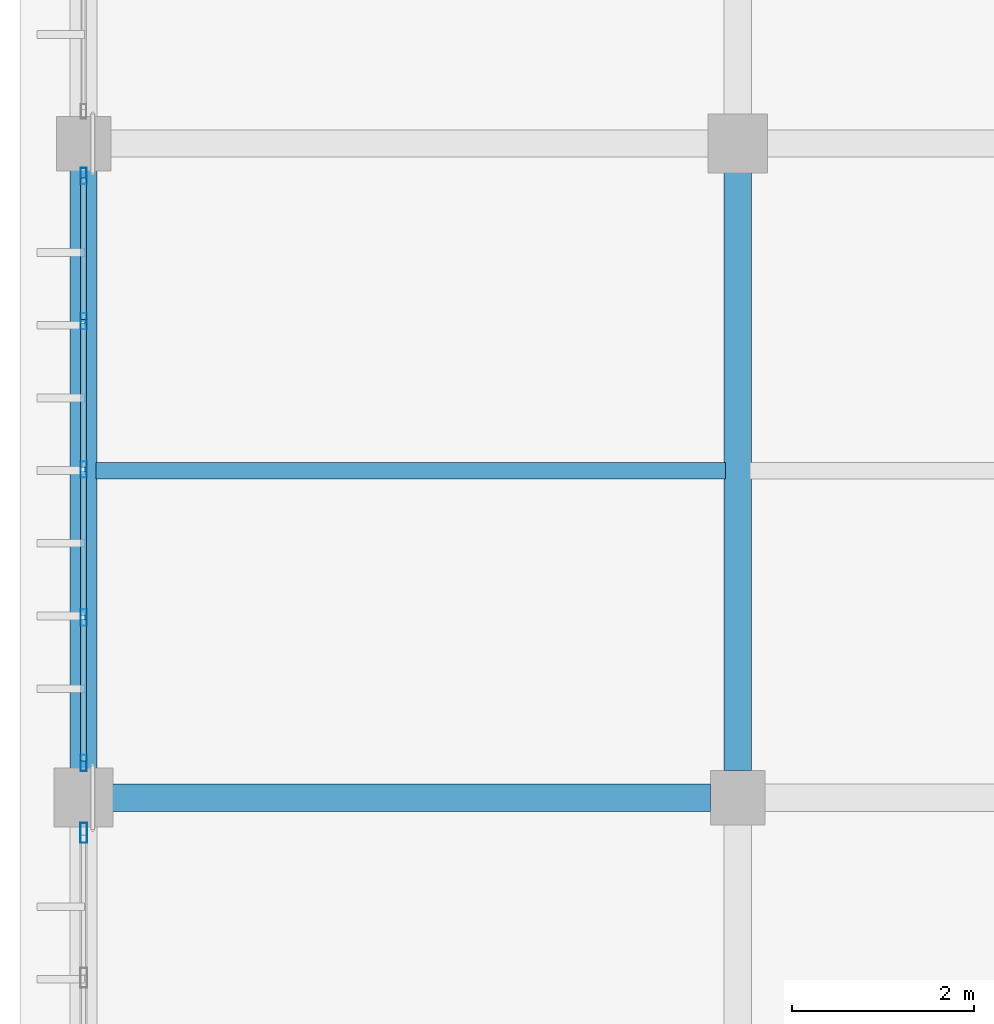
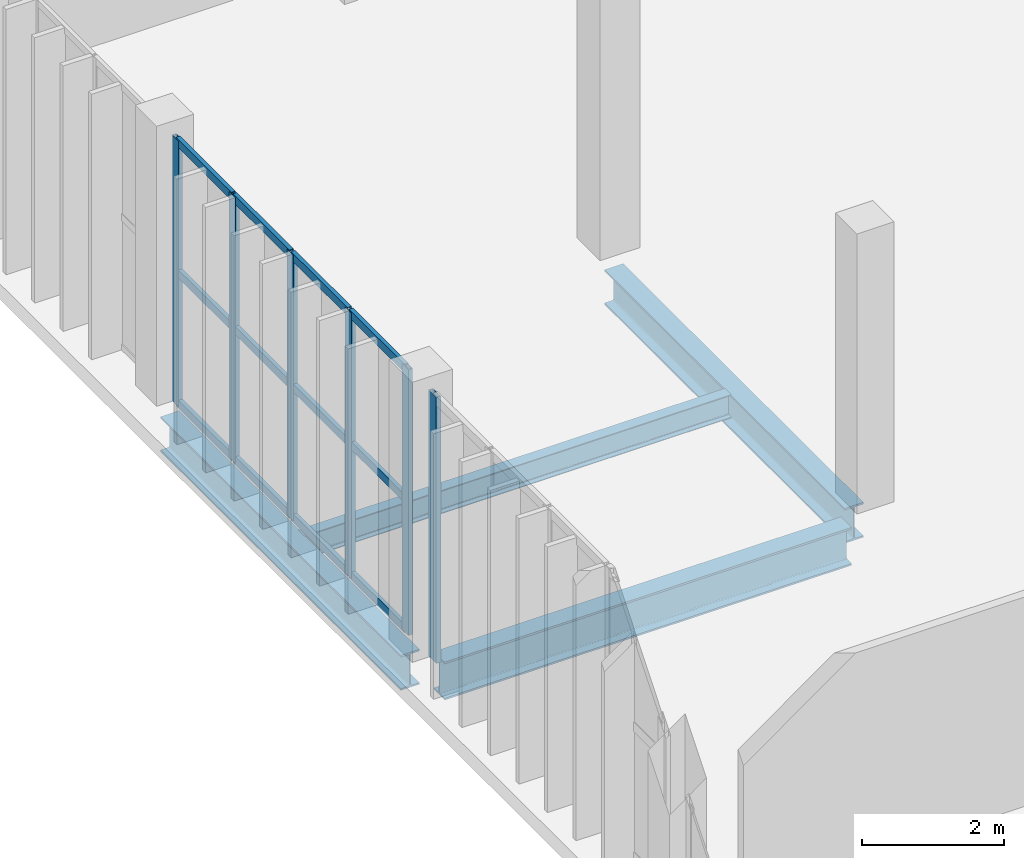
# One storey, part 35 of 105: 18 members, 4 beams, 2 elements without a shape of their own.
"""IFC4 building model written with IfcOpenShell, lengths in metres."""

import ifcopenshell
import ifcopenshell.guid

model = None  # the IFC model being written
_history = None  # IfcOwnerHistory: only IFC2X3 demands one
_inside = {}  # id of a spatial element -> (the spatial element, [elements in it])
_under = {}  # id of a project, library or spatial element -> (it, [spatial elements below it])
_declared = {}  # id of a project -> (the project, [libraries it declares])
_typed = {}  # id of a type object -> (the type object, [elements of that type])
_made_of = {}  # id of a material, layer set ... -> (it, [elements and type objects made of it])


def new_model(schema):
    """Start an empty IFC model of exactly this schema.

    Asked for "IFC4X3", IfcOpenShell would pick the latest addendum, in which some entities
    have other attributes; the version numbers below select the first issue.
    IFC2X3 requires an IfcOwnerHistory on every rooted entity: one is made here for all.
    """
    global model, _history
    if schema == "IFC4X3":
        model = ifcopenshell.file(schema_version=(4, 3, 0, 0))
    else:
        model = ifcopenshell.file(schema=schema)
    _inside.clear()
    _under.clear()
    _declared.clear()
    _typed.clear()
    _made_of.clear()
    _history = None
    if model.schema == "IFC2X3":
        org = make("IfcOrganization", Name="unknown")
        user = make(
            "IfcPersonAndOrganization",
            ThePerson=make("IfcPerson", FamilyName="unknown"),
            TheOrganization=org,
        )
        app = make(
            "IfcApplication",
            ApplicationDeveloper=org,
            Version="unknown",
            ApplicationFullName="unknown",
            ApplicationIdentifier="unknown",
        )
        _history = make(
            "IfcOwnerHistory",
            OwningUser=user,
            OwningApplication=app,
            ChangeAction="ADDED",
            CreationDate=0,
        )
    return model


def make(cls, **values):
    """One entity of the class cls with the attributes given. An attribute that is None is left unset."""
    return model.create_entity(
        cls, **{name: value for name, value in values.items() if value is not None}
    )


def rooted(cls, **values):
    """An entity with a GlobalId (a new one), such as an element, a storey or a relation."""
    return make(cls, GlobalId=ifcopenshell.guid.new(), OwnerHistory=_history, **values)


def si_unit(unit_type, name, prefix=None):
    """IfcSIUnit, for example si_unit("LENGTHUNIT", "METRE", prefix="MILLI")."""
    return make("IfcSIUnit", UnitType=unit_type, Prefix=prefix, Name=name)


def assignment(units):
    """IfcUnitAssignment: the units of a project."""
    return None if units is None else make("IfcUnitAssignment", Units=units)


def point(xyz):
    """IfcCartesianPoint."""
    return None if xyz is None else make("IfcCartesianPoint", Coordinates=xyz)


def direction(xyz):
    """IfcDirection."""
    return None if xyz is None else make("IfcDirection", DirectionRatios=xyz)


def frame(location, z_axis=None, x_axis=None):
    """IfcAxis2Placement3D, a coordinate frame: its origin and axes. An axis left out is left unset."""
    return make(
        "IfcAxis2Placement3D",
        Location=point(location),
        Axis=direction(z_axis),
        RefDirection=direction(x_axis),
    )


def frame_2d(location, x_axis=None):
    """IfcAxis2Placement2D, a coordinate frame in the plane: its origin and x axis."""
    return make(
        "IfcAxis2Placement2D", Location=point(location), RefDirection=direction(x_axis)
    )


def origin():
    """The frame at (0, 0, 0) with its axes left unset."""
    return frame((0.0, 0.0, 0.0))


def origin_2d():
    """The frame at (0, 0) in the plane with its x axis left unset."""
    return frame_2d((0.0, 0.0))


def place(relative_to, where):
    """IfcLocalPlacement: puts the frame where relative to a parent placement (None: the world)."""
    return make(
        "IfcLocalPlacement", PlacementRelTo=relative_to, RelativePlacement=where
    )


def context(
    kind, dimensions, precision=None, world=None, true_north=None, identifier=None
):
    """IfcGeometricRepresentationContext, for example the 3D "Model" context."""
    return make(
        "IfcGeometricRepresentationContext",
        ContextIdentifier=identifier,
        ContextType=kind,
        CoordinateSpaceDimension=dimensions,
        Precision=precision,
        WorldCoordinateSystem=world,
        TrueNorth=true_north,
    )


def subcontext(parent, identifier, kind, view, scale=None):
    """IfcGeometricRepresentationSubContext, for example "Body" below "Model"."""
    return make(
        "IfcGeometricRepresentationSubContext",
        ContextIdentifier=identifier,
        ContextType=kind,
        ParentContext=parent,
        TargetScale=scale,
        TargetView=view,
    )


def project(units=None, contexts=None):
    """IfcProject with its units and contexts."""
    return rooted(
        "IfcProject",
        Name="project",
        RepresentationContexts=contexts,
        UnitsInContext=assignment(units),
    )


def spatial(cls, under=None, at=None, **own):
    """A site, building, storey or space (cls), placed at a placement, below another one or the project."""
    s = rooted(cls, ObjectPlacement=at, **own)
    if under is not None:
        _under.setdefault(under.id(), (under, []))[1].append(s)
    return s


def profile(cls, at=None, kind="AREA", **sizes):
    """A parametric profile (cls). Its sizes go by their IFC names, for example OverallWidth=200.0."""
    return make(cls, ProfileType=kind, Position=at, **sizes)


def hollow_rectangle(**sizes):
    """IfcRectangleHollowProfileDef."""
    return profile("IfcRectangleHollowProfileDef", **sizes)


def i_section(**sizes):
    """IfcIShapeProfileDef."""
    return profile("IfcIShapeProfileDef", **sizes)


def extrude(swept, where, along, depth):
    """IfcExtrudedAreaSolid: the profile swept, set in the frame where, extruded along a direction by depth."""
    return make(
        "IfcExtrudedAreaSolid",
        SweptArea=swept,
        Position=where,
        ExtrudedDirection=direction(along),
        Depth=depth,
    )


def shape(context_of_items, identifier, shape_type, items):
    """IfcShapeRepresentation: the items that make up one representation, for example the "Body"."""
    return make(
        "IfcShapeRepresentation",
        ContextOfItems=context_of_items,
        RepresentationIdentifier=identifier,
        RepresentationType=shape_type,
        Items=items,
    )


def material(Name=None, Category=None):
    """IfcMaterial."""
    return make("IfcMaterial", Name=Name, Category=Category)


def material_profile(
    of_material, cross_section, Name=None, Category=None, Priority=None
):
    """IfcMaterialProfile: a cross section and its material."""
    return make(
        "IfcMaterialProfile",
        Name=Name,
        Material=of_material,
        Profile=cross_section,
        Priority=Priority,
        Category=Category,
    )


def profile_set(profiles, Name=None, composite=None):
    """IfcMaterialProfileSet."""
    return make(
        "IfcMaterialProfileSet",
        Name=Name,
        MaterialProfiles=profiles,
        CompositeProfile=composite,
    )


def made_of(thing, what):
    """Note that an element or type object is made of a material, layer set ...; save() writes the relation."""
    if what is not None:
        _made_of.setdefault(what.id(), (what, []))[1].append(thing)
    return thing


def type_object(cls, material=None, **own):
    """A type object (cls), such as IfcWallType, which elements share."""
    return made_of(rooted(cls, **own), material)


def element(
    cls,
    number,
    at=None,
    inside=None,
    cuts=None,
    type_object=None,
    material=None,
    context=None,
    identifier="Body",
    shape_type=None,
    held_by="IfcProductDefinitionShape",
    body=None,
    shapes=None,
    **own,
):
    """One element of the class cls, such as IfcWall. Its Tag is "e" and its number.

    at: its placement. inside: the storey or other place that contains it. cuts: it is an
    opening in that element (IfcRelVoidsElement). A single representation is given by context,
    identifier, shape_type and body (its items); several are given by shapes. held_by: the class
    of the entity that holds the representations. save() writes the other relations.
    """
    e = rooted(cls, Tag="e%d" % number, ObjectPlacement=at, **own)
    if body is not None:
        shapes = [shape(context, identifier, shape_type, body)]
    if shapes is not None:
        e.Representation = make(held_by, Representations=shapes)
    if inside is not None:
        _inside.setdefault(inside.id(), (inside, []))[1].append(e)
    if cuts is not None:
        rooted(
            "IfcRelVoidsElement", RelatingBuildingElement=cuts, RelatedOpeningElement=e
        )
    if type_object is not None:
        _typed.setdefault(type_object.id(), (type_object, []))[1].append(e)
    return made_of(e, material)


def aggregate(whole, parts):
    """IfcRelAggregates: a whole, such as a stair, and the parts it consists of."""
    return rooted("IfcRelAggregates", RelatingObject=whole, RelatedObjects=parts)


def save(model, path):
    """Write the relations noted so far, then the file.

    IfcRelAggregates (storeys below a building ...), IfcRelContainedInSpatialStructure (elements
    in a storey), IfcRelDefinesByType, IfcRelAssociatesMaterial and IfcRelDeclares: one each for
    every whole, place, type object, material and project.
    """
    for whole, parts in _under.values():
        aggregate(whole, parts)
    for where, things in _inside.values():
        rooted(
            "IfcRelContainedInSpatialStructure",
            RelatedElements=things,
            RelatingStructure=where,
        )
    for kind, things in _typed.values():
        rooted("IfcRelDefinesByType", RelatedObjects=things, RelatingType=kind)
    for what, things in _made_of.values():
        rooted("IfcRelAssociatesMaterial", RelatedObjects=things, RelatingMaterial=what)
    for by, libraries in _declared.values():
        rooted("IfcRelDeclares", RelatingContext=by, RelatedDefinitions=libraries)
    model.write(path)


model = new_model("IFC4")

# Units and contexts
model_context = context("Model", 3, precision=1e-05, world=origin(), true_north=direction((0.0, 1.0)))
body_context = subcontext(model_context, "Body", "Model", "MODEL_VIEW")
ifc_project = project(units=[si_unit("LENGTHUNIT", "METRE"), si_unit("AREAUNIT", "SQUARE_METRE"), si_unit("VOLUMEUNIT", "CUBIC_METRE"), si_unit("PLANEANGLEUNIT", "RADIAN"), si_unit("MASSUNIT", "GRAM", prefix="KILO")], contexts=[model_context])

# Site, building, storey
site_placement = place(None, origin())
site = spatial("IfcSite", under=ifc_project, at=site_placement, CompositionType="ELEMENT")
building_placement = place(site_placement, origin())
building = spatial("IfcBuilding", under=site, at=building_placement, Name="Qandorah Velis Arena", CompositionType="ELEMENT")
storey_placement = place(building_placement, frame((0.0, 0.0, 13.800048828125)))
storey = spatial("IfcBuildingStorey", under=building, at=storey_placement, Name="L03", CompositionType="ELEMENT", Elevation=13.800048828125)

# Curtain wall, members
ifc_material_1 = material(Name="Solar-control low-E double glazing", Category="glass")
curtain_wall_type_1 = type_object("IfcCurtainWallType", Name="ARC-CW-SYS02", PredefinedType="USERDEFINED", material=ifc_material_1)
curtain_wall_1_placement = place(storey_placement, origin())
curtain_wall_1 = element("IfcCurtainWall", 1, at=curtain_wall_1_placement, inside=storey, type_object=curtain_wall_type_1, Name="Unitised curtain wall L03-026", ObjectType="UNITISED CURTAIN WALL", PredefinedType="USERDEFINED")
ifc_material_2 = material(Name="Champagne-bronze anodized aluminium 6063-T6", Category="aluminium")
ifc_material_profile_1 = material_profile(ifc_material_2, hollow_rectangle(XDim=0.06494140625, YDim=0.179931640625, WallThickness=0.00341796875, at=origin_2d()), Name="ALU MULLION 65x180")
ifc_profile_set_1 = profile_set([ifc_material_profile_1], Name="Champagne-bronze anodized aluminium 6063-T6")
member_type_1 = type_object("IfcMemberType", Name="ARC-CWM-180", PredefinedType="MULLION", material=ifc_profile_set_1)
member_1_placement = place(storey_placement, frame((0.0, 65.1826171875, -0.01513671875), z_axis=(0.0, 0.0, 1.0), x_axis=(-1.0, 0.0, 0.0)))
member_1 = element("IfcMember", 2, at=member_1_placement, type_object=member_type_1, Name="CW02 mullion 1", PredefinedType="MULLION", context=body_context, shape_type="SweptSolid", body=[
    extrude(hollow_rectangle(XDim=0.06494140625, YDim=0.179931640625, WallThickness=0.00341796875, at=origin_2d()), origin(), (0.0, 0.0, 1.0), 4.56005859375),
])
member_2_placement = place(storey_placement, frame((0.0, 66.78125, -0.01513671875), z_axis=(0.0, 0.0, 1.0), x_axis=(-1.0, 0.0, 0.0)))
member_2 = element("IfcMember", 3, at=member_2_placement, type_object=member_type_1, Name="CW02 mullion 2", PredefinedType="MULLION", context=body_context, shape_type="SweptSolid", body=[
    extrude(hollow_rectangle(XDim=0.06494140625, YDim=0.179931640625, WallThickness=0.00341796875, at=origin_2d()), origin(), (0.0, 0.0, 1.0), 4.56005859375),
])
member_3_placement = place(storey_placement, frame((0.0, 68.41259765625, -0.01513671875), z_axis=(0.0, 0.0, 1.0), x_axis=(-1.0, 0.0, 0.0)))
member_3 = element("IfcMember", 4, at=member_3_placement, type_object=member_type_1, Name="CW02 mullion 3", PredefinedType="MULLION", context=body_context, shape_type="SweptSolid", body=[
    extrude(hollow_rectangle(XDim=0.06494140625, YDim=0.179931640625, WallThickness=0.00341796875, at=origin_2d()), origin(), (0.0, 0.0, 1.0), 4.56005859375),
])
member_4_placement = place(storey_placement, frame((0.0, 70.043701171875, -0.01513671875), z_axis=(0.0, 0.0, 1.0), x_axis=(-1.0, 0.0, 0.0)))
member_4 = element("IfcMember", 5, at=member_4_placement, type_object=member_type_1, Name="CW02 mullion 4", PredefinedType="MULLION", context=body_context, shape_type="SweptSolid", body=[
    extrude(hollow_rectangle(XDim=0.06494140625, YDim=0.179931640625, WallThickness=0.00341796875, at=origin_2d()), origin(), (0.0, 0.0, 1.0), 4.56005859375),
])
member_5_placement = place(storey_placement, frame((0.0, 71.642578125, -0.01513671875), z_axis=(0.0, 0.0, 1.0), x_axis=(-1.0, 0.0, 0.0)))
member_5 = element("IfcMember", 6, at=member_5_placement, type_object=member_type_1, Name="CW02 mullion 5", PredefinedType="MULLION", context=body_context, shape_type="SweptSolid", body=[
    extrude(hollow_rectangle(XDim=0.06494140625, YDim=0.179931640625, WallThickness=0.00341796875, at=origin_2d()), origin(), (0.0, 0.0, 1.0), 4.56005859375),
])

# Curtain wall, member
curtain_wall_type_2 = type_object("IfcCurtainWallType", Name="ARC-CW-SYS01", PredefinedType="USERDEFINED", material=ifc_material_1)
curtain_wall_2_placement = place(storey_placement, origin())
curtain_wall_2 = element("IfcCurtainWall", 7, at=curtain_wall_2_placement, inside=storey, type_object=curtain_wall_type_2, Name="Unitised curtain wall L03-025", ObjectType="UNITISED CURTAIN WALL", PredefinedType="USERDEFINED")
ifc_material_profile_2 = material_profile(ifc_material_2, hollow_rectangle(XDim=0.074951171875, YDim=0.219970703125, WallThickness=0.00390625, at=origin_2d()), Name="ALU MULLION 75x220")
ifc_profile_set_2 = profile_set([ifc_material_profile_2], Name="Champagne-bronze anodized aluminium 6063-T6")
member_type_2 = type_object("IfcMemberType", Name="ARC-CWM-220", PredefinedType="MULLION", material=ifc_profile_set_2)
member_6_placement = place(storey_placement, frame((0.0, 64.41259765625, -0.01513671875), z_axis=(0.0, 0.0, 1.0), x_axis=(-1.0, 0.0, 0.0)))
member_6 = element("IfcMember", 8, at=member_6_placement, type_object=member_type_2, Name="CW01 mullion 5", PredefinedType="MULLION", context=body_context, shape_type="SweptSolid", body=[
    extrude(hollow_rectangle(XDim=0.074951171875, YDim=0.219970703125, WallThickness=0.00390625, at=origin_2d()), origin(), (0.0, 0.0, 1.0), 4.56005859375),
])
aggregate(curtain_wall_2, [member_6])

# Member
ifc_material_profile_3 = material_profile(ifc_material_2, hollow_rectangle(XDim=0.06494140625, YDim=0.139892578125, WallThickness=0.0029296875, at=origin_2d()), Name="ALU TRANSOM 65x140")
ifc_profile_set_3 = profile_set([ifc_material_profile_3], Name="Champagne-bronze anodized aluminium 6063-T6")
member_type_3 = type_object("IfcMemberType", Name="ARC-CWT-140", PredefinedType="USERDEFINED", material=ifc_profile_set_3)
member_7_placement = place(storey_placement, frame((0.0, 65.202880859375, 0.032470703125), z_axis=(0.0, 1.0, 0.0), x_axis=(-1.0, 0.0, 0.0)))
member_7 = element("IfcMember", 9, at=member_7_placement, type_object=member_type_3, Name="CW02 transom 1.1", ObjectType="TRANSOM", PredefinedType="USERDEFINED", context=body_context, shape_type="SweptSolid", body=[
    extrude(hollow_rectangle(XDim=0.06494140625, YDim=0.139892578125, WallThickness=0.0029296875, at=origin_2d()), origin(), (0.0, 0.0, 1.0), 1.557861328125),
])

member_8_placement = place(storey_placement, frame((0.0, 65.202880859375, 2.264892578125), z_axis=(0.0, 1.0, 0.0), x_axis=(-1.0, 0.0, 0.0)))
member_8 = element("IfcMember", 10, at=member_8_placement, type_object=member_type_3, Name="CW02 transom 1.2", ObjectType="TRANSOM", PredefinedType="USERDEFINED", context=body_context, shape_type="SweptSolid", body=[
    extrude(hollow_rectangle(XDim=0.06494140625, YDim=0.139892578125, WallThickness=0.0029296875, at=origin_2d()), origin(), (0.0, 0.0, 1.0), 1.557861328125),
])

member_9_placement = place(storey_placement, frame((0.0, 65.202880859375, 4.49755859375), z_axis=(0.0, 1.0, 0.0), x_axis=(-1.0, 0.0, 0.0)))
member_9 = element("IfcMember", 11, at=member_9_placement, type_object=member_type_3, Name="CW02 transom 1.3", ObjectType="TRANSOM", PredefinedType="USERDEFINED", context=body_context, shape_type="SweptSolid", body=[
    extrude(hollow_rectangle(XDim=0.06494140625, YDim=0.139892578125, WallThickness=0.0029296875, at=origin_2d()), origin(), (0.0, 0.0, 1.0), 1.557861328125),
])

member_10_placement = place(storey_placement, frame((0.0, 66.8017578125, 0.032470703125), z_axis=(0.0, 1.0, 0.0), x_axis=(-1.0, 0.0, 0.0)))
member_10 = element("IfcMember", 12, at=member_10_placement, type_object=member_type_3, Name="CW02 transom 2.1", ObjectType="TRANSOM", PredefinedType="USERDEFINED", context=body_context, shape_type="SweptSolid", body=[
    extrude(hollow_rectangle(XDim=0.06494140625, YDim=0.139892578125, WallThickness=0.0029296875, at=origin_2d()), origin(), (0.0, 0.0, 1.0), 1.59033203125),
])

member_11_placement = place(storey_placement, frame((0.0, 66.8017578125, 2.264892578125), z_axis=(0.0, 1.0, 0.0), x_axis=(-1.0, 0.0, 0.0)))
member_11 = element("IfcMember", 13, at=member_11_placement, type_object=member_type_3, Name="CW02 transom 2.2", ObjectType="TRANSOM", PredefinedType="USERDEFINED", context=body_context, shape_type="SweptSolid", body=[
    extrude(hollow_rectangle(XDim=0.06494140625, YDim=0.139892578125, WallThickness=0.0029296875, at=origin_2d()), origin(), (0.0, 0.0, 1.0), 1.59033203125),
])

member_12_placement = place(storey_placement, frame((0.0, 66.8017578125, 4.49755859375), z_axis=(0.0, 1.0, 0.0), x_axis=(-1.0, 0.0, 0.0)))
member_12 = element("IfcMember", 14, at=member_12_placement, type_object=member_type_3, Name="CW02 transom 2.3", ObjectType="TRANSOM", PredefinedType="USERDEFINED", context=body_context, shape_type="SweptSolid", body=[
    extrude(hollow_rectangle(XDim=0.06494140625, YDim=0.139892578125, WallThickness=0.0029296875, at=origin_2d()), origin(), (0.0, 0.0, 1.0), 1.59033203125),
])

member_13_placement = place(storey_placement, frame((0.0, 68.43310546875, 0.032470703125), z_axis=(0.0, 1.0, 0.0), x_axis=(-1.0, 0.0, 0.0)))
member_13 = element("IfcMember", 15, at=member_13_placement, type_object=member_type_3, Name="CW02 transom 3.1", ObjectType="TRANSOM", PredefinedType="USERDEFINED", context=body_context, shape_type="SweptSolid", body=[
    extrude(hollow_rectangle(XDim=0.06494140625, YDim=0.139892578125, WallThickness=0.0029296875, at=origin_2d()), origin(), (0.0, 0.0, 1.0), 1.590087890625),
])

member_14_placement = place(storey_placement, frame((0.0, 68.43310546875, 2.264892578125), z_axis=(0.0, 1.0, 0.0), x_axis=(-1.0, 0.0, 0.0)))
member_14 = element("IfcMember", 16, at=member_14_placement, type_object=member_type_3, Name="CW02 transom 3.2", ObjectType="TRANSOM", PredefinedType="USERDEFINED", context=body_context, shape_type="SweptSolid", body=[
    extrude(hollow_rectangle(XDim=0.06494140625, YDim=0.139892578125, WallThickness=0.0029296875, at=origin_2d()), origin(), (0.0, 0.0, 1.0), 1.590087890625),
])

member_15_placement = place(storey_placement, frame((0.0, 68.43310546875, 4.49755859375), z_axis=(0.0, 1.0, 0.0), x_axis=(-1.0, 0.0, 0.0)))
member_15 = element("IfcMember", 17, at=member_15_placement, type_object=member_type_3, Name="CW02 transom 3.3", ObjectType="TRANSOM", PredefinedType="USERDEFINED", context=body_context, shape_type="SweptSolid", body=[
    extrude(hollow_rectangle(XDim=0.06494140625, YDim=0.139892578125, WallThickness=0.0029296875, at=origin_2d()), origin(), (0.0, 0.0, 1.0), 1.590087890625),
])

member_16_placement = place(storey_placement, frame((0.0, 70.064208984375, 0.032470703125), z_axis=(0.0, 1.0, 0.0), x_axis=(-1.0, 0.0, 0.0)))
member_16 = element("IfcMember", 18, at=member_16_placement, type_object=member_type_3, Name="CW02 transom 4.1", ObjectType="TRANSOM", PredefinedType="USERDEFINED", context=body_context, shape_type="SweptSolid", body=[
    extrude(hollow_rectangle(XDim=0.06494140625, YDim=0.139892578125, WallThickness=0.0029296875, at=origin_2d()), origin(), (0.0, 0.0, 1.0), 1.557861328125),
])

member_17_placement = place(storey_placement, frame((0.0, 70.064208984375, 2.264892578125), z_axis=(0.0, 1.0, 0.0), x_axis=(-1.0, 0.0, 0.0)))
member_17 = element("IfcMember", 19, at=member_17_placement, type_object=member_type_3, Name="CW02 transom 4.2", ObjectType="TRANSOM", PredefinedType="USERDEFINED", context=body_context, shape_type="SweptSolid", body=[
    extrude(hollow_rectangle(XDim=0.06494140625, YDim=0.139892578125, WallThickness=0.0029296875, at=origin_2d()), origin(), (0.0, 0.0, 1.0), 1.557861328125),
])

member_18_placement = place(storey_placement, frame((0.0, 70.064208984375, 4.49755859375), z_axis=(0.0, 1.0, 0.0), x_axis=(-1.0, 0.0, 0.0)))
member_18 = element("IfcMember", 20, at=member_18_placement, type_object=member_type_3, Name="CW02 transom 4.3", ObjectType="TRANSOM", PredefinedType="USERDEFINED", context=body_context, shape_type="SweptSolid", body=[
    extrude(hollow_rectangle(XDim=0.06494140625, YDim=0.139892578125, WallThickness=0.0029296875, at=origin_2d()), origin(), (0.0, 0.0, 1.0), 1.557861328125),
])

aggregate(curtain_wall_1, [member_1, member_2, member_3, member_4, member_5, member_7, member_8, member_9, member_10, member_11, member_12, member_13, member_14, member_15, member_16, member_17, member_18])

# Beams
ifc_material_3 = material(Name="Steel S355", Category="steel")
ifc_material_profile_4 = material_profile(ifc_material_3, i_section(OverallWidth=0.300048828125, OverallDepth=0.60009765625, WebThickness=0.015380859375, FlangeThickness=0.030029296875, FilletRadius=0.027099609375, at=origin_2d()), Name="HEB 600")
ifc_profile_set_4 = profile_set([ifc_material_profile_4], Name="Steel S355")
beam_type_1 = type_object("IfcBeamType", Name="STR-BM-HEB600", PredefinedType="BEAM", material=ifc_profile_set_4)
for number, where, z_axis, x_axis, name in (
    (21, (0.0, 65.10009765625, -0.6201171875), (0.0, 1.0, 0.0), (-1.0, 0.0, 0.0), "Primary floor girder L03 Y-185"),
    (22, (7.199951171875, 65.10009765625, -0.6201171875), (0.0, 1.0, 0.0), (-1.0, 0.0, 0.0), "Primary floor girder L03 Y-199"),
):
    element("IfcBeam", number, at=place(storey_placement, frame(where, z_axis=z_axis, x_axis=x_axis)), inside=storey, type_object=beam_type_1, Name=name, PredefinedType="BEAM", context=body_context, shape_type="SweptSolid", body=[
        extrude(i_section(OverallWidth=0.300048828125, OverallDepth=0.60009765625, WebThickness=0.015380859375, FlangeThickness=0.030029296875, FilletRadius=0.027099609375, at=origin_2d()), origin(), (0.0, 0.0, 1.0), 6.75),
    ])
ifc_material_profile_5 = material_profile(ifc_material_3, i_section(OverallWidth=0.300048828125, OverallDepth=0.64990234375, WebThickness=0.01611328125, FlangeThickness=0.031005859375, FilletRadius=0.027099609375, at=origin_2d()), Name="HEB 650")
ifc_profile_set_5 = profile_set([ifc_material_profile_5], Name="Steel S355")
beam_type_2 = type_object("IfcBeamType", Name="STR-BM-HEB650", PredefinedType="BEAM", material=ifc_profile_set_5)
beam_1_placement = place(storey_placement, frame((0.300048828125, 64.800048828125, -0.64501953125), z_axis=(1.0, 0.0, 0.0), x_axis=(0.0, 1.0, 0.0)))
element("IfcBeam", 23, at=beam_1_placement, inside=storey, type_object=beam_type_2, Name="Primary floor girder L03 X-089", PredefinedType="BEAM", context=body_context, shape_type="SweptSolid", body=[
    extrude(i_section(OverallWidth=0.300048828125, OverallDepth=0.64990234375, WebThickness=0.01611328125, FlangeThickness=0.031005859375, FilletRadius=0.027099609375, at=origin_2d()), origin(), (0.0, 0.0, 1.0), 6.599853515625),
])
ifc_material_profile_6 = material_profile(ifc_material_3, i_section(OverallWidth=0.179931640625, OverallDepth=0.39990234375, WebThickness=0.008544921875, FlangeThickness=0.013427734375, FilletRadius=0.02099609375, at=origin_2d()), Name="IPE 400")
ifc_profile_set_6 = profile_set([ifc_material_profile_6], Name="Steel S355")
beam_type_3 = type_object("IfcBeamType", Name="STR-JST-IPE400", PredefinedType="JOIST", material=ifc_profile_set_6)
beam_2_placement = place(storey_placement, frame((0.135009765625, 68.39990234375, -0.52001953125), z_axis=(1.0, 0.0, 0.0), x_axis=(0.0, 1.0, 0.0)))
element("IfcBeam", 24, at=beam_2_placement, inside=storey, type_object=beam_type_3, Name="Secondary floor joist L03-006", PredefinedType="JOIST", context=body_context, shape_type="SweptSolid", body=[
    extrude(i_section(OverallWidth=0.179931640625, OverallDepth=0.39990234375, WebThickness=0.008544921875, FlangeThickness=0.013427734375, FilletRadius=0.02099609375, at=origin_2d()), origin(), (0.0, 0.0, 1.0), 6.929931640625),
])

save(model, "model.ifc")
